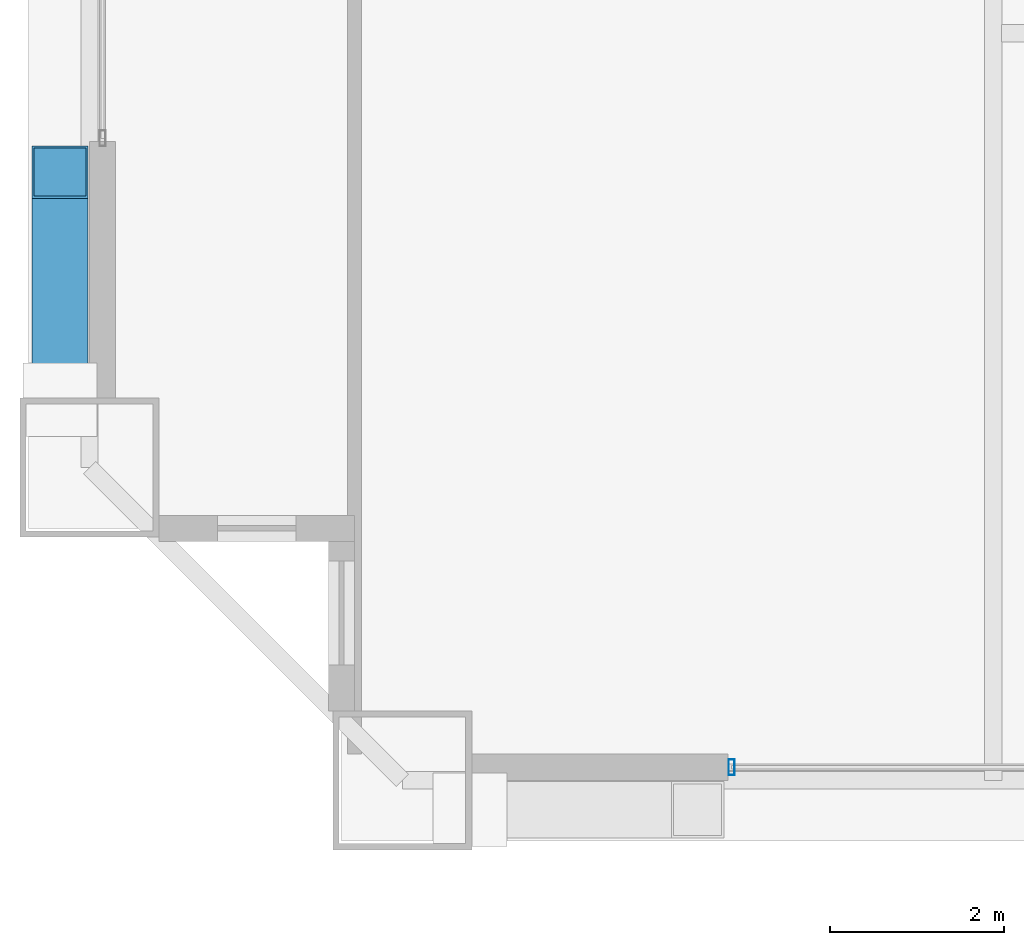
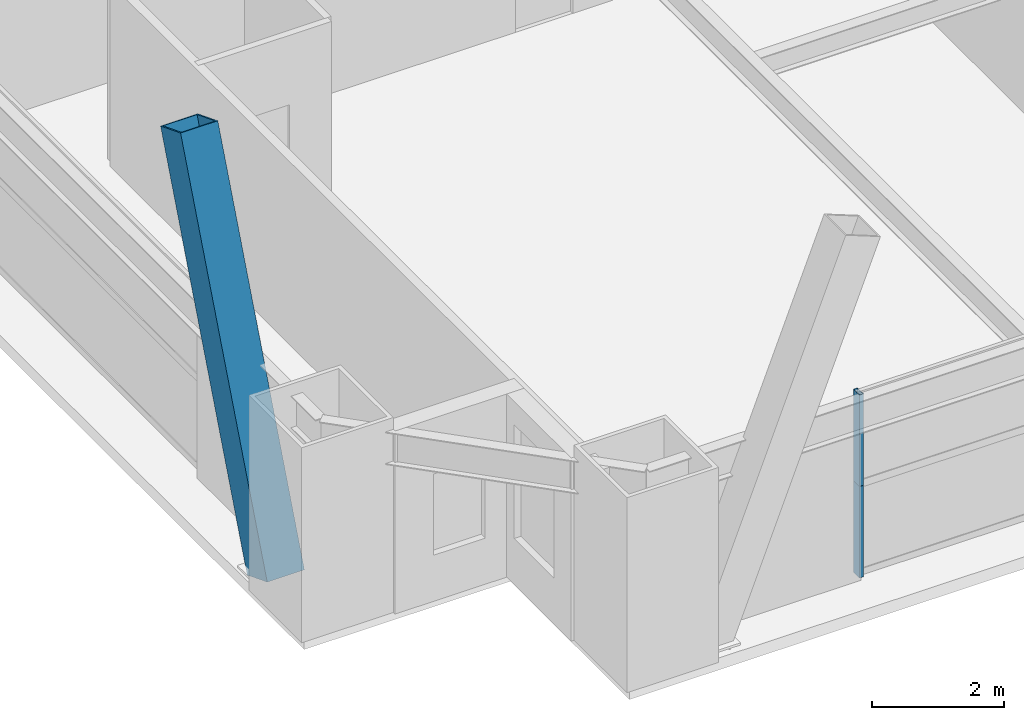
# One storey, part 3 of 43: 3 members, 1 element without a shape of its own.
"""IFC4 building model written with IfcOpenShell, lengths in metres."""

from ifc_helpers import new_model, si_unit, direction, frame, origin, origin_2d, place, context, subcontext, project, spatial, hollow_rectangle, extrude, source, transform, mapped, material, layer, layer_set, material_profile, profile_set, type_object, element, aggregate, save


model = new_model("IFC4")

# Units and contexts
model_context = context("Model", 3, precision=1e-05, world=origin(), true_north=direction((0.0, 1.0)))
body_context = subcontext(model_context, "Body", "Model", "MODEL_VIEW")
ifc_project = project(units=[si_unit("LENGTHUNIT", "METRE"), si_unit("AREAUNIT", "SQUARE_METRE"), si_unit("VOLUMEUNIT", "CUBIC_METRE"), si_unit("PLANEANGLEUNIT", "RADIAN"), si_unit("MASSUNIT", "GRAM", prefix="KILO"), si_unit("THERMODYNAMICTEMPERATUREUNIT", "KELVIN"), si_unit("POWERUNIT", "WATT")], contexts=[model_context])

# Site, building, storey
site_placement = place(None, origin())
site = spatial("IfcSite", under=ifc_project, at=site_placement, CompositionType="ELEMENT")
building_placement = place(site_placement, origin())
building = spatial("IfcBuilding", under=site, at=building_placement, Name="Yuzanri Waterfront Tower", CompositionType="ELEMENT")
storey_placement = place(building_placement, frame((0.0, 0.0, 108.199951171875)))
storey = spatial("IfcBuildingStorey", under=building, at=storey_placement, Name="L28", CompositionType="ELEMENT", Elevation=108.199951171875)

# Member
ifc_material_1 = material(Name="Steel Q420GJC", Category="steel")
ifc_material_profile_1 = material_profile(ifc_material_1, hollow_rectangle(XDim=0.64990234375, YDim=0.64990234375, WallThickness=0.028076171875, at=origin_2d()), Name="RHS 650x650x28")
ifc_profile_set_1 = profile_set([ifc_material_profile_1], Name="Steel Q420GJC")
member_type_1 = type_object("IfcMemberType", Name="Mega Brace Lower Q420GJC RHS 650x650x28", PredefinedType="BRACE", material=ifc_profile_set_1)
shared_shape_1 = source(origin(), body_context, "Body", "SweptSolid", [
    extrude(hollow_rectangle(XDim=0.64990234375, YDim=0.64990234375, WallThickness=0.028076171875, at=origin_2d()), origin(), (0.0, 0.0, 1.0), 7.194091796875),
])
member_1_placement = place(storey_placement, frame((13.06005859375, 6.580078125, 0.179931640625), z_axis=(0.0, 0.36416517997, 0.931334376955), x_axis=(-1.0, 0.0, 0.0)))
element("IfcMember", 1, at=member_1_placement, inside=storey, type_object=member_type_1, Name="L28-L29 Perimeter Mega-Brace W-L", PredefinedType="BRACE", context=body_context, shape_type="MappedRepresentation", body=[
    mapped(shared_shape_1, transform((0.0, 0.0, 0.0), scale=1.0)),
])

# Curtain wall, members
ifc_material_2 = material(Name="Anodized Architectural Bronze", Category="metal")
ifc_layer = layer(ifc_material_2, 0.159912109375)
ifc_layer_set = layer_set([ifc_layer], Name="Anodized Architectural Bronze")
curtain_wall_type = type_object("IfcCurtainWallType", Name="Anodized Bronze Hotel Upper-Tier Solar-Control Unitized Curtain Wall 7800", PredefinedType="NOTDEFINED", material=ifc_layer_set)
curtain_wall_placement = place(storey_placement, origin())
curtain_wall = element("IfcCurtainWall", 2, at=curtain_wall_placement, inside=storey, type_object=curtain_wall_type, Name="L28 Curtain Wall CW-L28-SL1", PredefinedType="NOTDEFINED")
ifc_material_3 = material(Name="Anodized Architectural Bronze", Category="metal")
ifc_material_profile_2 = material_profile(ifc_material_3, hollow_rectangle(XDim=0.070068359375, YDim=0.179931640625, WallThickness=0.00390625, at=origin_2d()), Name="CWM 70x180")
ifc_profile_set_2 = profile_set([ifc_material_profile_2], Name="Anodized Architectural Bronze")
member_type_2 = type_object("IfcMemberType", Name="Anodized Bronze Standard Curtain-Wall Mullion 70x180", PredefinedType="MULLION", material=ifc_profile_set_2)
shared_shape_2 = source(origin(), body_context, "Body", "SweptSolid", [
    extrude(hollow_rectangle(XDim=0.070068359375, YDim=0.179931640625, WallThickness=0.00390625, at=origin_2d()), origin(), (0.0, 0.0, 1.0), 1.68798828125),
])
member_2_placement = place(storey_placement, frame((20.7900390625, 2.35009765625, 0.0), z_axis=(0.0, 0.0, 1.0), x_axis=(1.0, 0.0, 0.0)))
member_2 = element("IfcMember", 3, at=member_2_placement, type_object=member_type_2, Name="CW-L28-SL1 Lower Mullion 00", PredefinedType="MULLION", context=body_context, shape_type="MappedRepresentation", body=[
    mapped(shared_shape_2, transform((0.0, 0.0, 0.0), scale=1.0)),
])
member_3_placement = place(storey_placement, frame((20.7900390625, 2.35009765625, 1.692138671875), z_axis=(0.0, 0.0, 1.0), x_axis=(1.0, 0.0, 0.0)))
member_3 = element("IfcMember", 4, at=member_3_placement, type_object=member_type_2, Name="CW-L28-SL1 Upper Mullion 00", PredefinedType="MULLION", context=body_context, shape_type="MappedRepresentation", body=[
    mapped(shared_shape_2, transform((0.0, 0.0, 0.0), scale=1.0)),
])
aggregate(curtain_wall, [member_2, member_3])

save(model, "model.ifc")
